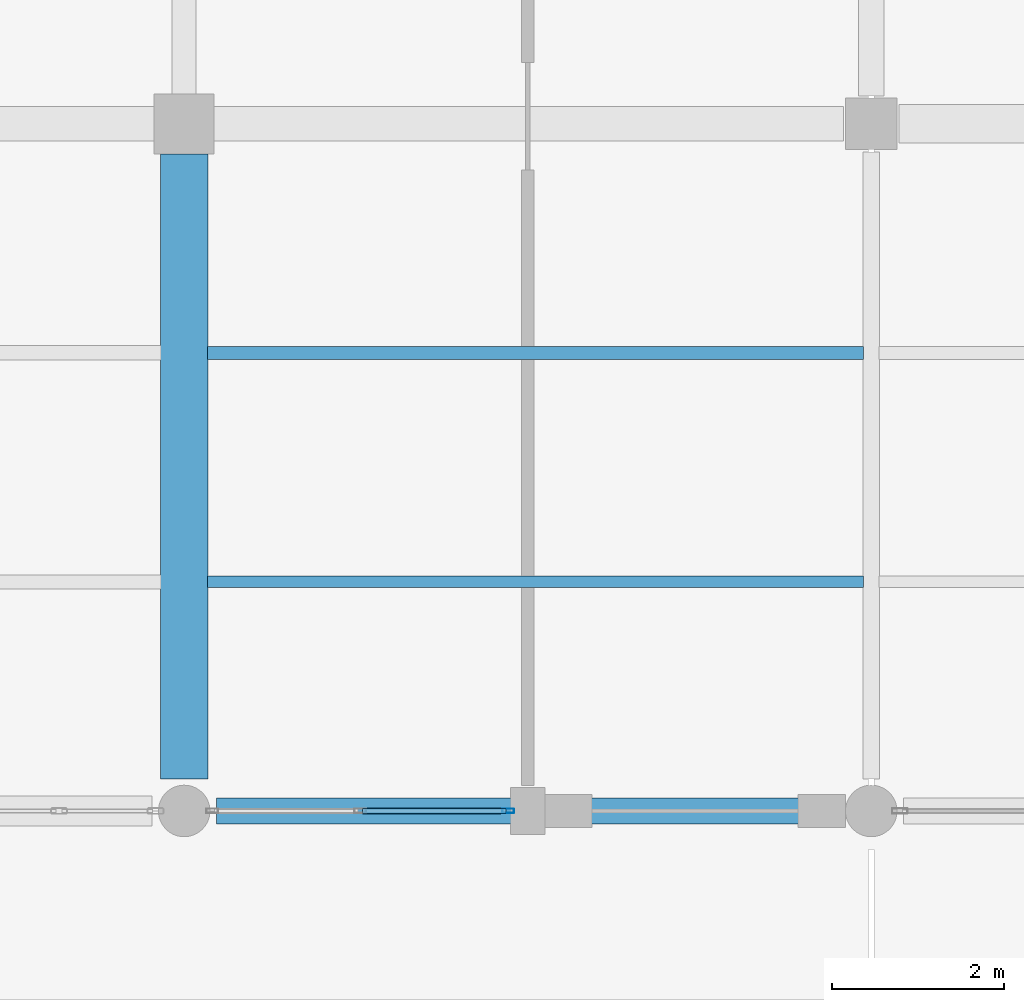
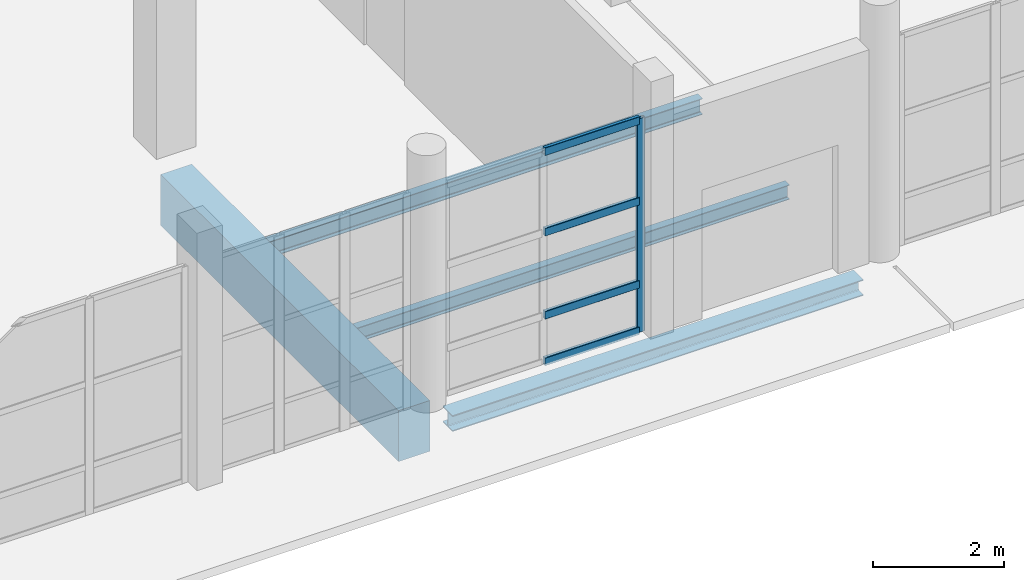
# One storey, part 18 of 156: 5 members, 4 beams, 1 element without a shape of its own.
"""IFC4 building model written with IfcOpenShell, lengths in metres."""

from ifc_helpers import new_model, si_unit, direction, frame, origin, origin_2d, place, context, subcontext, project, spatial, rectangle, hollow_rectangle, i_section, extrude, material, material_profile, profile_set, type_object, element, aggregate, save


model = new_model("IFC4")

# Units and contexts
model_context = context("Model", 3, precision=1e-05, world=origin(), true_north=direction((0.0, 1.0)))
body_context = subcontext(model_context, "Body", "Model", "MODEL_VIEW")
ifc_project = project(units=[si_unit("LENGTHUNIT", "METRE"), si_unit("AREAUNIT", "SQUARE_METRE"), si_unit("VOLUMEUNIT", "CUBIC_METRE"), si_unit("PLANEANGLEUNIT", "RADIAN"), si_unit("MASSUNIT", "GRAM", prefix="KILO")], contexts=[model_context])

# Site, building, storey
site_placement = place(None, origin())
site = spatial("IfcSite", under=ifc_project, at=site_placement, CompositionType="ELEMENT")
building_placement = place(site_placement, origin())
building = spatial("IfcBuilding", under=site, at=building_placement, Name="Luwemba Playhouse", CompositionType="ELEMENT")
storey_placement = place(building_placement, origin())
storey = spatial("IfcBuildingStorey", under=building, at=storey_placement, Name="L00", CompositionType="ELEMENT", Elevation=0.0)

# Beams
ifc_material_1 = material(Name="Concrete C40/50", Category="concrete")
ifc_material_profile_1 = material_profile(ifc_material_1, rectangle(XDim=0.550048828125, YDim=0.949951171875, at=origin_2d()))
ifc_profile_set_1 = profile_set([ifc_material_profile_1], Name="Concrete C40/50")
beam_type_1 = type_object("IfcBeamType", Name="BM-RB08", PredefinedType="BEAM", material=ifc_profile_set_1)
beam_1_placement = place(storey_placement, frame((44.0, 3.375, -0.77490234375), z_axis=(0.0, 1.0, 0.0), x_axis=(-1.0, 0.0, 0.0)))
element("IfcBeam", 1, at=beam_1_placement, inside=storey, type_object=beam_type_1, Name="L00 transverse girder 0193", PredefinedType="BEAM", context=body_context, shape_type="SweptSolid", body=[
    extrude(rectangle(XDim=0.550048828125, YDim=0.949951171875, at=origin_2d()), origin(), (0.0, 0.0, 1.0), 7.27490234375),
])
ifc_material_2 = material(Name="Steel S355", Category="steel")
ifc_material_profile_2 = material_profile(ifc_material_2, i_section(OverallWidth=0.135009765625, OverallDepth=0.27001953125, WebThickness=0.006591796875, FlangeThickness=0.01025390625, FilletRadius=0.014892578125, at=origin_2d()))
ifc_profile_set_2 = profile_set([ifc_material_profile_2], Name="Steel S355")
beam_type_2 = type_object("IfcBeamType", Name="BM-SJ04", PredefinedType="JOIST", material=ifc_profile_set_2)
beam_2_placement = place(storey_placement, frame((44.27099609375, 5.666748046875, -0.43505859375), z_axis=(1.0, 0.0, 0.0), x_axis=(0.0, 1.0, 0.0)))
element("IfcBeam", 2, at=beam_2_placement, inside=storey, type_object=beam_type_2, Name="L00 composite floor joist 0144", PredefinedType="JOIST", context=body_context, shape_type="SweptSolid", body=[
    extrude(i_section(OverallWidth=0.135009765625, OverallDepth=0.27001953125, WebThickness=0.006591796875, FlangeThickness=0.01025390625, FilletRadius=0.014892578125, at=origin_2d()), origin(), (0.0, 0.0, 1.0), 7.637939453125),
])
ifc_material_profile_3 = material_profile(ifc_material_2, i_section(OverallWidth=0.14990234375, OverallDepth=0.300048828125, WebThickness=0.007080078125, FlangeThickness=0.0107421875, FilletRadius=0.014892578125, at=origin_2d()))
ifc_profile_set_3 = profile_set([ifc_material_profile_3], Name="Steel S355")
beam_type_3 = type_object("IfcBeamType", Name="BM-SJ05", PredefinedType="JOIST", material=ifc_profile_set_3)
beam_3_placement = place(storey_placement, frame((44.27099609375, 8.333251953125, -0.449951171875), z_axis=(1.0, 0.0, 0.0), x_axis=(0.0, 1.0, 0.0)))
element("IfcBeam", 3, at=beam_3_placement, inside=storey, type_object=beam_type_3, Name="L00 composite floor joist 0145", PredefinedType="JOIST", context=body_context, shape_type="SweptSolid", body=[
    extrude(i_section(OverallWidth=0.14990234375, OverallDepth=0.300048828125, WebThickness=0.007080078125, FlangeThickness=0.0107421875, FilletRadius=0.014892578125, at=origin_2d()), origin(), (0.0, 0.0, 1.0), 7.637939453125),
])
ifc_material_profile_4 = material_profile(ifc_material_2, i_section(OverallWidth=0.300048828125, OverallDepth=0.300048828125, WebThickness=0.010986328125, FlangeThickness=0.01904296875, FilletRadius=0.027099609375, at=origin_2d()))
ifc_profile_set_4 = profile_set([ifc_material_profile_4], Name="Steel S355")
beam_type_4 = type_object("IfcBeamType", Name="BM-SSP1", PredefinedType="SPANDREL", material=ifc_profile_set_4)
beam_4_placement = place(storey_placement, frame((44.375, 3.0, -0.449951171875), z_axis=(1.0, 0.0, 0.0), x_axis=(0.0, 1.0, 0.0)))
element("IfcBeam", 4, at=beam_4_placement, inside=storey, type_object=beam_type_4, Name="L00 grid girder 0155", PredefinedType="SPANDREL", context=body_context, shape_type="SweptSolid", body=[
    extrude(i_section(OverallWidth=0.300048828125, OverallDepth=0.300048828125, WebThickness=0.010986328125, FlangeThickness=0.01904296875, FilletRadius=0.027099609375, at=origin_2d()), origin(), (0.0, 0.0, 1.0), 7.25),
])

# Curtain wall, members
ifc_material_3 = material(Name="Solar-control double glazing", Category="glass")
curtain_wall_type = type_object("IfcCurtainWallType", Name="CW-CW40", PredefinedType="USERDEFINED", material=ifc_material_3)
curtain_wall_placement = place(storey_placement, origin())
curtain_wall = element("IfcCurtainWall", 5, at=curtain_wall_placement, inside=storey, type_object=curtain_wall_type, Name="L00 V5W unitised curtain wall 045", ObjectType="UNITISED GLAZING", PredefinedType="USERDEFINED")
ifc_material_4 = material(Name="Aluminium 6063-T6", Category="aluminium")
ifc_material_profile_5 = material_profile(ifc_material_4, hollow_rectangle(XDim=0.054931640625, YDim=0.139892578125, WallThickness=0.00390625, InnerFilletRadius=0.006103515625, OuterFilletRadius=0.010009765625, at=origin_2d()))
ifc_profile_set_5 = profile_set([ifc_material_profile_5], Name="Aluminium 6063-T6")
member_type_1 = type_object("IfcMemberType", Name="CWM-M3", PredefinedType="MULLION", material=ifc_profile_set_5)
member_1_placement = place(storey_placement, frame((47.7724609375, 3.0, 0.0), z_axis=(0.0, 0.0, 1.0), x_axis=(0.0, -1.0, 0.0)))
member_1 = element("IfcMember", 6, at=member_1_placement, type_object=member_type_1, Name="CW40 mullion 1", PredefinedType="MULLION", context=body_context, shape_type="SweptSolid", body=[
    extrude(hollow_rectangle(XDim=0.054931640625, YDim=0.139892578125, WallThickness=0.00390625, InnerFilletRadius=0.006103515625, OuterFilletRadius=0.010009765625, at=origin_2d()), origin(), (0.0, 0.0, 1.0), 3.985107421875),
])
ifc_material_profile_6 = material_profile(ifc_material_4, hollow_rectangle(XDim=0.06494140625, YDim=0.14990234375, WallThickness=0.00390625, InnerFilletRadius=0.006103515625, OuterFilletRadius=0.010009765625, at=origin_2d()))
ifc_profile_set_6 = profile_set([ifc_material_profile_6], Name="Aluminium 6063-T6")
member_type_2 = type_object("IfcMemberType", Name="CWT-T3", PredefinedType="USERDEFINED", material=ifc_profile_set_6)
member_2_placement = place(storey_placement, frame((47.7451171875, 3.0, 0.032470703125), z_axis=(-1.0, 0.0, 0.0), x_axis=(0.0, -1.0, 0.0)))
member_2 = element("IfcMember", 7, at=member_2_placement, type_object=member_type_2, Name="CW40 transom 1.1", ObjectType="TRANSOM", PredefinedType="USERDEFINED", context=body_context, shape_type="SweptSolid", body=[
    extrude(hollow_rectangle(XDim=0.06494140625, YDim=0.14990234375, WallThickness=0.00390625, InnerFilletRadius=0.006103515625, OuterFilletRadius=0.010009765625, at=origin_2d()), origin(), (0.0, 0.0, 1.0), 1.667724609375),
])
member_3_placement = place(storey_placement, frame((47.7451171875, 3.0, 0.89990234375), z_axis=(-1.0, 0.0, 0.0), x_axis=(0.0, -1.0, 0.0)))
member_3 = element("IfcMember", 8, at=member_3_placement, type_object=member_type_2, Name="CW40 transom 1.2", ObjectType="TRANSOM", PredefinedType="USERDEFINED", context=body_context, shape_type="SweptSolid", body=[
    extrude(hollow_rectangle(XDim=0.06494140625, YDim=0.14990234375, WallThickness=0.00390625, InnerFilletRadius=0.006103515625, OuterFilletRadius=0.010009765625, at=origin_2d()), origin(), (0.0, 0.0, 1.0), 1.667724609375),
])
member_4_placement = place(storey_placement, frame((47.7451171875, 3.0, 2.449951171875), z_axis=(-1.0, 0.0, 0.0), x_axis=(0.0, -1.0, 0.0)))
member_4 = element("IfcMember", 9, at=member_4_placement, type_object=member_type_2, Name="CW40 transom 1.3", ObjectType="TRANSOM", PredefinedType="USERDEFINED", context=body_context, shape_type="SweptSolid", body=[
    extrude(hollow_rectangle(XDim=0.06494140625, YDim=0.14990234375, WallThickness=0.00390625, InnerFilletRadius=0.006103515625, OuterFilletRadius=0.010009765625, at=origin_2d()), origin(), (0.0, 0.0, 1.0), 1.667724609375),
])
member_5_placement = place(storey_placement, frame((47.7451171875, 3.0, 3.952392578125), z_axis=(-1.0, 0.0, 0.0), x_axis=(0.0, -1.0, 0.0)))
member_5 = element("IfcMember", 10, at=member_5_placement, type_object=member_type_2, Name="CW40 transom 1.4", ObjectType="TRANSOM", PredefinedType="USERDEFINED", context=body_context, shape_type="SweptSolid", body=[
    extrude(hollow_rectangle(XDim=0.06494140625, YDim=0.14990234375, WallThickness=0.00390625, InnerFilletRadius=0.006103515625, OuterFilletRadius=0.010009765625, at=origin_2d()), origin(), (0.0, 0.0, 1.0), 1.667724609375),
])
aggregate(curtain_wall, [member_1, member_2, member_3, member_4, member_5])

save(model, "model.ifc")
